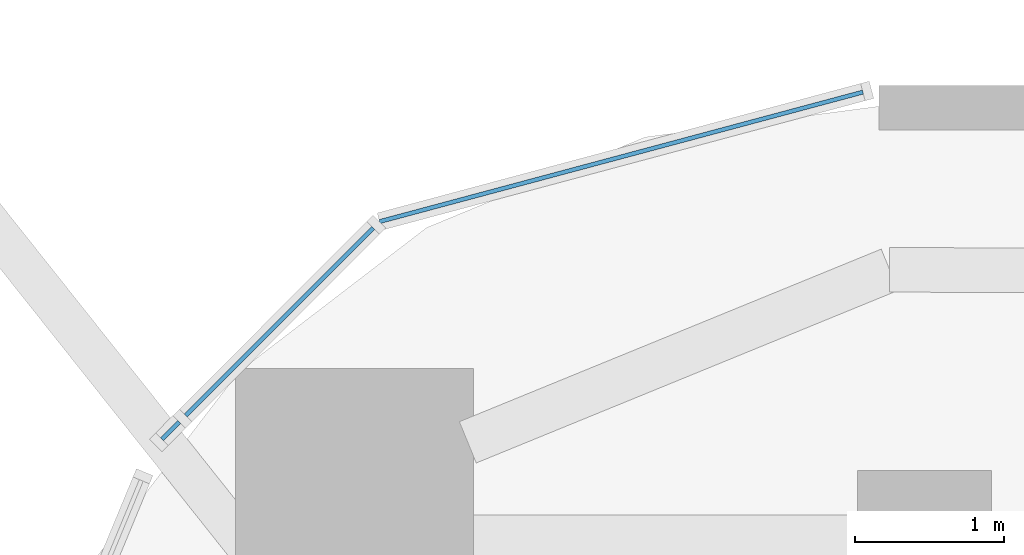
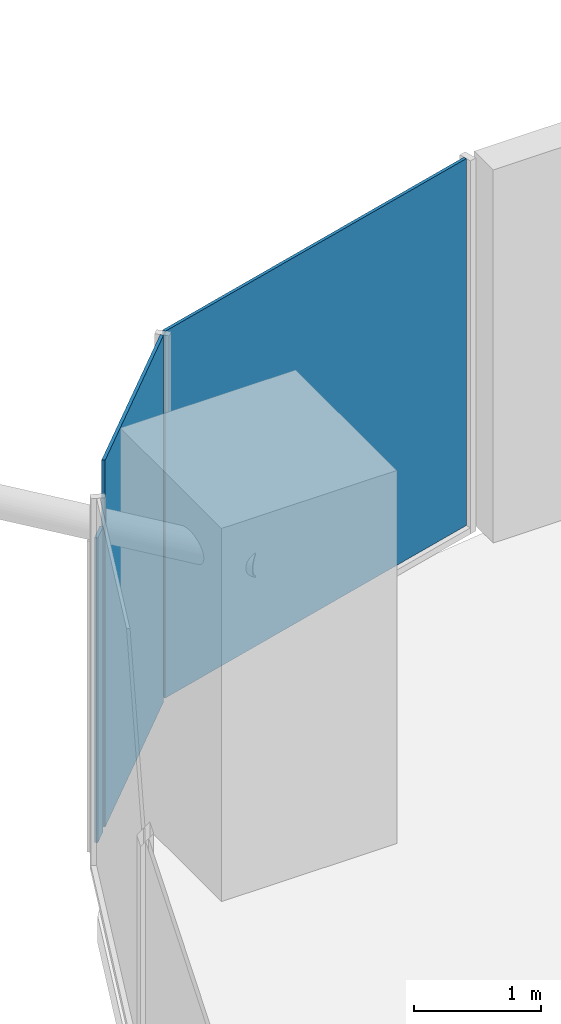
# One storey, part 22 of 33: 3 plates, 3 elements without a shape of their own.
"""IFC4 building model written with IfcOpenShell, lengths in metres."""

from ifc_helpers import new_model, si_unit, direction, frame, origin, origin_2d, place, context, subcontext, project, spatial, rectangle, extrude, material, layer, layer_set, type_object, element, aggregate, save


model = new_model("IFC4")

# Units and contexts
model_context = context("Model", 3, precision=1e-05, world=origin(), true_north=direction((0.0, 1.0)))
body_context = subcontext(model_context, "Body", "Model", "MODEL_VIEW")
ifc_project = project(units=[si_unit("LENGTHUNIT", "METRE"), si_unit("AREAUNIT", "SQUARE_METRE"), si_unit("VOLUMEUNIT", "CUBIC_METRE"), si_unit("PLANEANGLEUNIT", "RADIAN"), si_unit("MASSUNIT", "GRAM", prefix="KILO")], contexts=[model_context])

# Site, building, storey
site_placement = place(None, origin())
site = spatial("IfcSite", under=ifc_project, at=site_placement, CompositionType="ELEMENT")
building_placement = place(site_placement, origin())
building = spatial("IfcBuilding", under=site, at=building_placement, Name="Marenta Gate Hotel Tower", CompositionType="ELEMENT")
storey_placement = place(building_placement, frame((0.0, 0.0, 108.5)))
storey = spatial("IfcBuildingStorey", under=building, at=storey_placement, Name="L23", CompositionType="ELEMENT", Elevation=108.5)

# Curtain wall, plate
ifc_material_1 = material(Name="Tinted insulated glass in bronze anodised frame", Category="glass")
ifc_layer_1 = layer(ifc_material_1, 0.1201171875)
ifc_layer_set_1 = layer_set([ifc_layer_1], Name="Tinted insulated glass in bronze anodised frame")
curtain_wall_type = type_object("IfcCurtainWallType", Name="Tower unitised curtain wall CW1", PredefinedType="NOTDEFINED", material=ifc_layer_set_1)
curtain_wall_1_placement = place(storey_placement, origin())
curtain_wall_1 = element("IfcCurtainWall", 1, at=curtain_wall_1_placement, inside=storey, type_object=curtain_wall_type, Name="CW1 run G00", PredefinedType="NOTDEFINED")
ifc_material_2 = material(Name="Tinted insulated glass", Category="glass")
ifc_layer_2 = layer(ifc_material_2, 0.028076171875)
ifc_layer_set_2 = layer_set([ifc_layer_2], Name="Tinted insulated glass")
plate_type = type_object("IfcPlateType", Name="Glass panel CW1 28 mm tinted insulated unit", PredefinedType="CURTAIN_PANEL", material=ifc_layer_set_2)
plate_1_placement = place(storey_placement, frame((-23.04052734375, 27.759765625, 0.06005859375), z_axis=(0.0, 0.0, 1.0), x_axis=(-0.96593059835, -0.258801234873, 0.0)))
plate_1 = element("IfcPlate", 2, at=plate_1_placement, type_object=plate_type, Name="CW1 panel 1.1", PredefinedType="CURTAIN_PANEL", context=body_context, shape_type="SweptSolid", body=[
    extrude(rectangle(XDim=3.366943359375, YDim=0.028076171875, at=origin_2d()), origin(), (0.0, 0.0, 1.0), 3.5400390625),
])
aggregate(curtain_wall_1, [plate_1])

curtain_wall_2_placement = place(storey_placement, origin())
curtain_wall_2 = element("IfcCurtainWall", 3, at=curtain_wall_2_placement, inside=storey, type_object=curtain_wall_type, Name="CW1 run G01", PredefinedType="NOTDEFINED")
plate_2_placement = place(storey_placement, frame((-25.340087890625, 26.650634765625, 0.06005859375), z_axis=(0.0, 0.0, 1.0), x_axis=(-0.707106781187, -0.707106781187, 0.0)))
plate_2 = element("IfcPlate", 4, at=plate_2_placement, type_object=plate_type, Name="CW1 panel 1.1", PredefinedType="CURTAIN_PANEL", context=body_context, shape_type="SweptSolid", body=[
    extrude(rectangle(XDim=1.784912109375, YDim=0.028076171875, at=origin_2d()), origin(), (0.0, 0.0, 1.0), 3.5400390625),
])
aggregate(curtain_wall_2, [plate_2])

curtain_wall_3_placement = place(storey_placement, origin())
curtain_wall_3 = element("IfcCurtainWall", 5, at=curtain_wall_3_placement, inside=storey, type_object=curtain_wall_type, Name="CW1 run G02", PredefinedType="NOTDEFINED")
plate_3_placement = place(storey_placement, frame((-26.07177734375, 25.9189453125, 0.06005859375), z_axis=(0.0, 0.0, 1.0), x_axis=(-0.707106781187, -0.707106781187, 0.0)))
plate_3 = element("IfcPlate", 6, at=plate_3_placement, type_object=plate_type, Name="CW1 panel 1.1", PredefinedType="CURTAIN_PANEL", context=body_context, shape_type="SweptSolid", body=[
    extrude(rectangle(XDim=0.164306640625, YDim=0.028076171875, at=origin_2d()), origin(), (0.0, 0.0, 1.0), 2.9404296875),
])
aggregate(curtain_wall_3, [plate_3])

save(model, "model.ifc")
